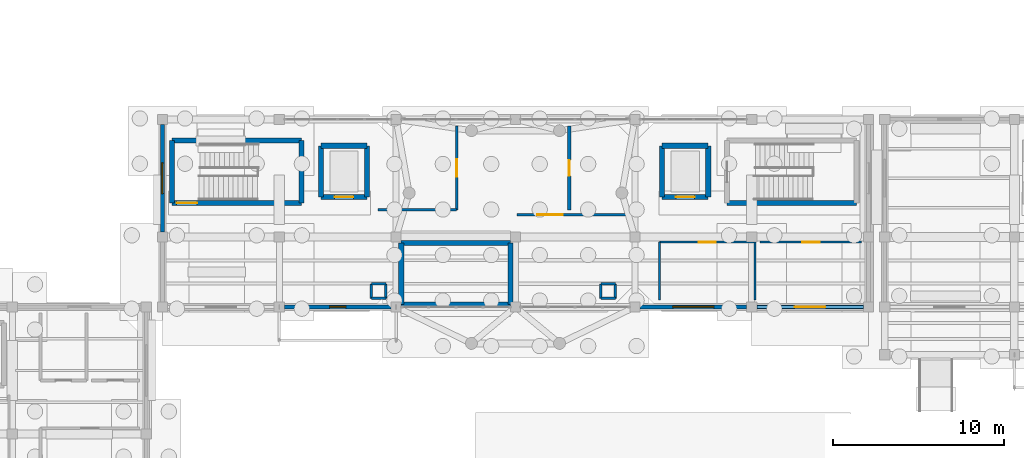
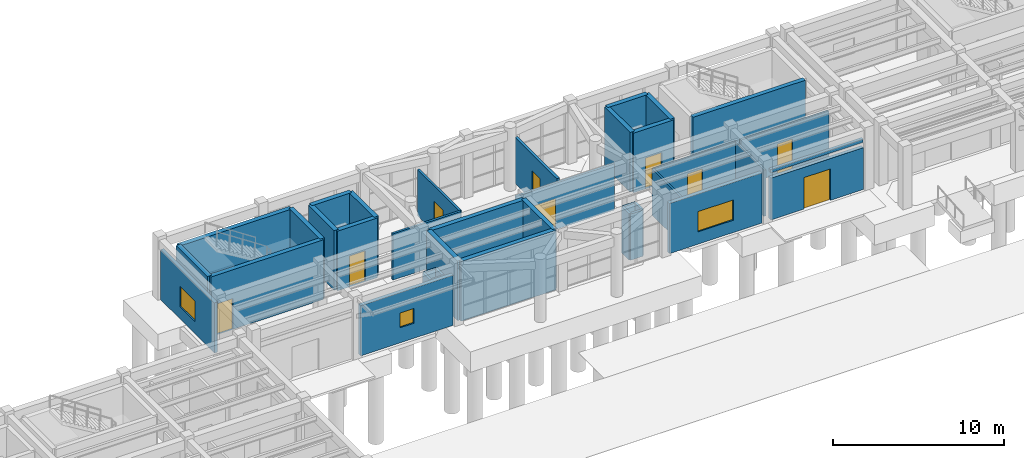
# One storey, part 29 of 41: 38 walls, 9 doors, 3 windows, 12 openings.
"""IFC4 building model written with IfcOpenShell, lengths in metres."""

from ifc_helpers import new_model, si_unit, direction, frame, frame_2d, origin, place, context, subcontext, project, spatial, rectangle, extrude, material, layer, layer_set, type_object, element, fill, save


model = new_model("IFC4")

# Units and contexts
model_context = context("Model", 3, precision=1e-05, world=origin(), true_north=direction((0.0, 1.0)))
body_context = subcontext(model_context, "Body", "Model", "MODEL_VIEW")
ifc_project = project(units=[si_unit("LENGTHUNIT", "METRE"), si_unit("AREAUNIT", "SQUARE_METRE"), si_unit("VOLUMEUNIT", "CUBIC_METRE"), si_unit("PLANEANGLEUNIT", "RADIAN"), si_unit("MASSUNIT", "GRAM", prefix="KILO")], contexts=[model_context])

# Site, building, storey
site_placement = place(None, origin())
site = spatial("IfcSite", under=ifc_project, at=site_placement, CompositionType="ELEMENT")
building_placement = place(site_placement, origin())
building = spatial("IfcBuilding", under=site, at=building_placement, Name="Candilejo Ridge Gondola Terminal", CompositionType="ELEMENT")
storey_placement = place(building_placement, origin())
storey = spatial("IfcBuildingStorey", under=building, at=storey_placement, Name="L00", CompositionType="ELEMENT", Elevation=0.0)

# Wall
ifc_material_1 = material(Name="Concrete C20/25 masonry blockwork (f'm 14 MPa)", Category="masonry")
ifc_layer_1 = layer(ifc_material_1, 0.195068359375)
ifc_layer_set_1 = layer_set([ifc_layer_1], Name="ARC-EXT-WALL-195")
wall_type_1 = type_object("IfcWallType", Name="ARC-EXT-WALL-195", PredefinedType="STANDARD", material=ifc_layer_set_1)
wall_1_placement = place(storey_placement, frame((85.75, 25.699951171875, 3.35009765625), z_axis=(0.0, 0.0, 1.0), x_axis=(-1.0, 0.0, 0.0)))
element("IfcWall", 1, at=wall_1_placement, inside=storey, type_object=wall_type_1, Name="Upper lintel spandrel wall V2 L00-034", PredefinedType="STANDARD", context=body_context, shape_type="SweptSolid", body=[
    extrude(rectangle(XDim=6.25, YDim=0.195068359375, at=frame_2d((3.125, 0.0))), origin(), (0.0, 0.0, 1.0), 0.22998046875),
])

# Wall, opening, window
ifc_material_2 = material(Name="Concrete C20/25 masonry blockwork (f'm 14 MPa)", Category="masonry")
ifc_layer_2 = layer(ifc_material_2, 0.219970703125)
ifc_layer_set_2 = layer_set([ifc_layer_2], Name="ARC-EXT-WALL-220")
wall_type_2 = type_object("IfcWallType", Name="ARC-EXT-WALL-220", PredefinedType="STANDARD", material=ifc_layer_set_2)
wall_2_placement = place(storey_placement, frame((44.64990234375, 30.10009765625, 0.0), z_axis=(0.0, 0.0, 1.0), x_axis=(0.0, 1.0, 0.0)))
wall_2 = element("IfcWall", 2, at=wall_2_placement, inside=storey, type_object=wall_type_2, Name="Exterior facade wall EW-V2-L00-039", PredefinedType="STANDARD", context=body_context, shape_type="SweptSolid", body=[
    extrude(rectangle(XDim=6.2998046875, YDim=0.219970703125, at=frame_2d((3.14990234375, 0.0))), origin(), (0.0, 0.0, 1.0), 3.580078125),
])
opening_1_placement = place(wall_2_placement, frame((2.25, 0.0, 0.8798828125)))
opening_1 = element("IfcOpeningElement", 3, at=opening_1_placement, cuts=wall_2, Name="Opening WN-02", PredefinedType="OPENING", context=body_context, shape_type="SweptSolid", body=[
    extrude(rectangle(XDim=1.800048828125, YDim=1.449951171875, at=frame_2d((0.89990234375, 0.72509765625))), frame((0.0, 0.119873046875, 0.0), z_axis=(0.0, -1.0, 0.0), x_axis=(1.0, 0.0, 0.0)), (0.0, 0.0, 1.0), 0.239990234375),
])
ifc_material_3 = material(Name="Low-E laminated double glazing 6+12A+6+1.52PVB+6 mm", Category="glass")
window_type_1 = type_object("IfcWindowType", Name="ARC-WIN-1800X1650", PartitioningType="SINGLE_PANEL", PredefinedType="WINDOW", material=ifc_material_3)
window_1_placement = place(opening_1_placement, origin())
window_1 = element("IfcWindow", 4, at=window_1_placement, inside=storey, type_object=window_type_1, Name="Window WIN-015", OverallHeight=1.449951171875, OverallWidth=1.800048828125, PartitioningType="SINGLE_PANEL", PredefinedType="WINDOW", context=body_context, shape_type="SweptSolid", body=[
    extrude(rectangle(XDim=1.800048828125, YDim=1.449951171875, at=frame_2d((0.89990234375, 0.72509765625))), frame((0.0, 0.030029296875, 0.0), z_axis=(0.0, -1.0, 0.0), x_axis=(1.0, 0.0, 0.0)), (0.0, 0.0, 1.0), 0.06005859375),
])
fill(opening_1, window_1)

# Wall, opening, door
ifc_material_4 = material(Name="Cream Guayaquil limestone ashlar masonry (f'm 14 MPa)", Category="masonry")
ifc_layer_3 = layer(ifc_material_4, 0.25)
ifc_layer_set_3 = layer_set([ifc_layer_3], Name="ARC-EXT-WALL-250")
wall_type_3 = type_object("IfcWallType", Name="ARC-EXT-WALL-250", PredefinedType="STANDARD", material=ifc_layer_set_3)
wall_3_placement = place(storey_placement, frame((85.75, 25.699951171875, 0.0), z_axis=(0.0, 0.0, 1.0), x_axis=(-1.0, 0.0, 0.0)))
wall_3 = element("IfcWall", 5, at=wall_3_placement, inside=storey, type_object=wall_type_3, Name="Exterior facade wall EW-V2-L00-033", PredefinedType="STANDARD", context=body_context, shape_type="SweptSolid", body=[
    extrude(rectangle(XDim=6.25, YDim=0.25, at=frame_2d((3.125, 0.0))), origin(), (0.0, 0.0, 1.0), 2.985107421875),
])
opening_2_placement = place(wall_3_placement, frame((2.22509765625, 0.0, 0.0)))
opening_2 = element("IfcOpeningElement", 6, at=opening_2_placement, cuts=wall_3, Name="Opening ED-02", PredefinedType="OPENING", context=body_context, shape_type="SweptSolid", body=[
    extrude(rectangle(XDim=1.800048828125, YDim=2.25, at=frame_2d((0.89990234375, 1.125))), frame((0.0, 0.135009765625, 0.0), z_axis=(0.0, -1.0, 0.0), x_axis=(1.0, 0.0, 0.0)), (0.0, 0.0, 1.0), 0.27001953125),
])
ifc_material_5 = material(Name="Anodised aluminium AA 6063-T6", Category="aluminium")
door_type_1 = type_object("IfcDoorType", Name="ARC-DOOR-EXT-DBL-1800", OperationType="NOTDEFINED", PredefinedType="DOOR", material=ifc_material_5)
door_1_placement = place(opening_2_placement, origin())
door_1 = element("IfcDoor", 7, at=door_1_placement, inside=storey, type_object=door_type_1, Name="Exterior door EDR-005", OperationType="DOUBLE_DOOR_SINGLE_SWING", OverallHeight=2.25, OverallWidth=1.800048828125, PredefinedType="DOOR", context=body_context, shape_type="SweptSolid", body=[
    extrude(rectangle(XDim=1.800048828125, YDim=2.25, at=frame_2d((0.89990234375, 1.125))), frame((0.0, 0.02490234375, 0.0), z_axis=(0.0, -1.0, 0.0), x_axis=(1.0, 0.0, 0.0)), (0.0, 0.0, 1.0), 0.050048828125),
])
fill(opening_2, door_1)

# Wall, opening, window
wall_4_placement = place(storey_placement, frame((58.050048828125, 25.699951171875, 0.0), z_axis=(0.0, 0.0, 1.0), x_axis=(-1.0, 0.0, 0.0)))
wall_4 = element("IfcWall", 8, at=wall_4_placement, inside=storey, type_object=wall_type_3, Name="Exterior facade wall EW-V2-L00-035", PredefinedType="STANDARD", context=body_context, shape_type="SweptSolid", body=[
    extrude(rectangle(XDim=6.25, YDim=0.25, at=frame_2d((3.125, 0.0))), origin(), (0.0, 0.0, 1.0), 3.580078125),
])
opening_3_placement = place(wall_4_placement, frame((2.64990234375, 0.0, 1.080078125)))
opening_3 = element("IfcOpeningElement", 9, at=opening_3_placement, cuts=wall_4, Name="Opening WN-05F", PredefinedType="OPENING", context=body_context, shape_type="SweptSolid", body=[
    extrude(rectangle(XDim=0.949951171875, YDim=1.050048828125, at=frame_2d((0.47509765625, 0.52490234375))), frame((0.0, 0.135009765625, 0.0), z_axis=(0.0, -1.0, 0.0), x_axis=(1.0, 0.0, 0.0)), (0.0, 0.0, 1.0), 0.27001953125),
])
ifc_material_6 = material(Name="Low-E laminated double glazing 6+12A+6+1.52PVB+6 mm", Category="glass")
window_type_2 = type_object("IfcWindowType", Name="ARC-WIN-0950X1050", PartitioningType="SINGLE_PANEL", PredefinedType="WINDOW", material=ifc_material_6)
window_2_placement = place(opening_3_placement, origin())
window_2 = element("IfcWindow", 10, at=window_2_placement, inside=storey, type_object=window_type_2, Name="Window WIN-013", OverallHeight=1.050048828125, OverallWidth=0.949951171875, PartitioningType="SINGLE_PANEL", PredefinedType="WINDOW", context=body_context, shape_type="SweptSolid", body=[
    extrude(rectangle(XDim=0.949951171875, YDim=1.050048828125, at=frame_2d((0.47509765625, 0.52490234375))), frame((0.0, 0.030029296875, 0.0), z_axis=(0.0, -1.0, 0.0), x_axis=(1.0, 0.0, 0.0)), (0.0, 0.0, 1.0), 0.06005859375),
])
fill(opening_3, window_2)

wall_5_placement = place(storey_placement, frame((78.89990234375, 25.699951171875, 0.0), z_axis=(0.0, 0.0, 1.0), x_axis=(-1.0, 0.0, 0.0)))
wall_5 = element("IfcWall", 11, at=wall_5_placement, inside=storey, type_object=wall_type_3, Name="Exterior facade wall EW-V2-L00-036", PredefinedType="STANDARD", context=body_context, shape_type="SweptSolid", body=[
    extrude(rectangle(XDim=6.25, YDim=0.25, at=frame_2d((3.125, 0.0))), origin(), (0.0, 0.0, 1.0), 3.580078125),
])
opening_4_placement = place(wall_5_placement, frame((1.925048828125, 0.0, 0.8798828125)))
opening_4 = element("IfcOpeningElement", 12, at=opening_4_placement, cuts=wall_5, Name="Opening WN-01", PredefinedType="OPENING", context=body_context, shape_type="SweptSolid", body=[
    extrude(rectangle(XDim=2.39990234375, YDim=1.449951171875, at=frame_2d((1.199951171875, 0.72509765625))), frame((0.0, 0.135009765625, 0.0), z_axis=(0.0, -1.0, 0.0), x_axis=(1.0, 0.0, 0.0)), (0.0, 0.0, 1.0), 0.27001953125),
])
ifc_material_7 = material(Name="Low-E laminated double glazing 6+12A+6+1.52PVB+6 mm", Category="glass")
window_type_3 = type_object("IfcWindowType", Name="ARC-WIN-2400X1650", PartitioningType="SINGLE_PANEL", PredefinedType="WINDOW", material=ifc_material_7)
window_3_placement = place(opening_4_placement, origin())
window_3 = element("IfcWindow", 13, at=window_3_placement, inside=storey, type_object=window_type_3, Name="Window WIN-014", OverallHeight=1.449951171875, OverallWidth=2.39990234375, PartitioningType="SINGLE_PANEL", PredefinedType="WINDOW", context=body_context, shape_type="SweptSolid", body=[
    extrude(rectangle(XDim=2.39990234375, YDim=1.449951171875, at=frame_2d((1.199951171875, 0.72509765625))), frame((0.0, 0.030029296875, 0.0), z_axis=(0.0, -1.0, 0.0), x_axis=(1.0, 0.0, 0.0)), (0.0, 0.0, 1.0), 0.06005859375),
])
fill(opening_4, window_3)

# Wall, opening, door
ifc_material_8 = material(Name="Gypsum board Type X acoustic partition (2x15.9 mm)", Category="gypsum")
ifc_layer_4 = layer(ifc_material_8, 0.125)
ifc_layer_set_4 = layer_set([ifc_layer_4], Name="ARC-PART-GYP125")
wall_type_4 = type_object("IfcWallType", Name="ARC-PART-GYP125", PredefinedType="PARTITIONING", material=ifc_layer_set_4)
wall_6_placement = place(storey_placement, frame((73.800048828125, 29.5, 0.0), z_axis=(0.0, 0.0, 1.0), x_axis=(1.0, 0.0, 0.0)))
wall_6 = element("IfcWall", 14, at=wall_6_placement, inside=storey, type_object=wall_type_4, Name="Interior partition PT-V2-L00-0014", PredefinedType="PARTITIONING", context=body_context, shape_type="SweptSolid", body=[
    extrude(rectangle(XDim=5.599853515625, YDim=0.125, at=frame_2d((2.7998046875, 0.0))), origin(), (0.0, 0.0, 1.0), 3.300048828125),
])
opening_5_placement = place(wall_6_placement, frame((2.300048828125, 0.0, 0.0)))
opening_5 = element("IfcOpeningElement", 15, at=opening_5_placement, cuts=wall_6, Name="Opening ID-01", PredefinedType="OPENING", context=body_context, shape_type="SweptSolid", body=[
    extrude(rectangle(XDim=1.0, YDim=2.14990234375, at=frame_2d((0.5, 1.074951171875))), frame((0.0, 0.072509765625, 0.0), z_axis=(0.0, -1.0, 0.0), x_axis=(1.0, 0.0, 0.0)), (0.0, 0.0, 1.0), 0.14501953125),
])
ifc_material_9 = material(Name="Solid-core fire-rated hardwood door leaf", Category="wood")
door_type_2 = type_object("IfcDoorType", Name="ARC-DOOR-INT-1000", OperationType="NOTDEFINED", PredefinedType="DOOR", material=ifc_material_9)
door_2_placement = place(opening_5_placement, origin())
door_2 = element("IfcDoor", 16, at=door_2_placement, inside=storey, type_object=door_type_2, Name="Interior door IDR-0008 (012)", OperationType="SINGLE_SWING_RIGHT", OverallHeight=2.14990234375, OverallWidth=1.0, PredefinedType="DOOR", context=body_context, shape_type="SweptSolid", body=[
    extrude(rectangle(XDim=1.0, YDim=2.14990234375, at=frame_2d((0.5, 1.074951171875))), frame((0.0, 0.02490234375, 0.0), z_axis=(0.0, -1.0, 0.0), x_axis=(1.0, 0.0, 0.0)), (0.0, 0.0, 1.0), 0.050048828125),
])
fill(opening_5, door_2)

# Walls
for number, where, z_axis, x_axis, name in (
    (17, (73.800048828125, 26.10009765625, 0.0), (0.0, 0.0, 1.0), (0.0, 1.0, 0.0), "Interior partition PT-V2-L00-0015"),
    (18, (79.39990234375, 26.10009765625, 0.0), (0.0, 0.0, 1.0), (0.0, 1.0, 0.0), "Interior partition PT-V2-L00-0016"),
):
    element("IfcWall", number, at=place(storey_placement, frame(where, z_axis=z_axis, x_axis=x_axis)), inside=storey, type_object=wall_type_4, Name=name, PredefinedType="PARTITIONING", context=body_context, shape_type="SweptSolid", body=[
        extrude(rectangle(XDim=3.39990234375, YDim=0.125, at=frame_2d((1.699951171875, 0.0))), origin(), (0.0, 0.0, 1.0), 3.300048828125),
    ])

# Wall, opening, door
wall_7_placement = place(storey_placement, frame((79.699951171875, 29.5, 0.0), z_axis=(0.0, 0.0, 1.0), x_axis=(1.0, 0.0, 0.0)))
wall_7 = element("IfcWall", 19, at=wall_7_placement, inside=storey, type_object=wall_type_4, Name="Interior partition PT-V2-L00-0017", PredefinedType="PARTITIONING", context=body_context, shape_type="SweptSolid", body=[
    extrude(rectangle(XDim=5.949951171875, YDim=0.125, at=frame_2d((2.97509765625, 0.0))), origin(), (0.0, 0.0, 1.0), 3.300048828125),
])
opening_6_placement = place(wall_7_placement, frame((2.47509765625, 0.0, 0.0)))
opening_6 = element("IfcOpeningElement", 20, at=opening_6_placement, cuts=wall_7, Name="Opening ID-01", PredefinedType="OPENING", context=body_context, shape_type="SweptSolid", body=[
    extrude(rectangle(XDim=1.0, YDim=2.14990234375, at=frame_2d((0.5, 1.074951171875))), frame((0.0, 0.072509765625, 0.0), z_axis=(0.0, -1.0, 0.0), x_axis=(1.0, 0.0, 0.0)), (0.0, 0.0, 1.0), 0.14501953125),
])
door_3_placement = place(opening_6_placement, origin())
door_3 = element("IfcDoor", 21, at=door_3_placement, inside=storey, type_object=door_type_2, Name="Interior door IDR-0009 (013)", OperationType="SINGLE_SWING_LEFT", OverallHeight=2.14990234375, OverallWidth=1.0, PredefinedType="DOOR", context=body_context, shape_type="SweptSolid", body=[
    extrude(rectangle(XDim=1.0, YDim=2.14990234375, at=frame_2d((0.5, 1.074951171875))), frame((0.0, 0.02490234375, 0.0), z_axis=(0.0, -1.0, 0.0), x_axis=(1.0, 0.0, 0.0)), (0.0, 0.0, 1.0), 0.050048828125),
])
fill(opening_6, door_3)

ifc_material_10 = material(Name="Gypsum board Type X acoustic partition (2x15.9 mm)", Category="gypsum")
ifc_layer_5 = layer(ifc_material_10, 0.135009765625)
ifc_layer_set_5 = layer_set([ifc_layer_5], Name="ARC-PART-GYP135")
wall_type_5 = type_object("IfcWallType", Name="ARC-PART-GYP135", PredefinedType="PARTITIONING", material=ifc_layer_set_5)
wall_8_placement = place(storey_placement, frame((65.449951171875, 31.10009765625, 0.0), z_axis=(0.0, 0.0, 1.0), x_axis=(1.0, 0.0, 0.0)))
wall_8 = element("IfcWall", 22, at=wall_8_placement, inside=storey, type_object=wall_type_5, Name="Interior partition PT-V2-L00-0013", PredefinedType="PARTITIONING", context=body_context, shape_type="SweptSolid", body=[
    extrude(rectangle(XDim=6.650146484375, YDim=0.135009765625, at=frame_2d((3.3251953125, 0.0))), origin(), (0.0, 0.0, 1.0), 3.300048828125),
])
opening_7_placement = place(wall_8_placement, frame((1.175048828125, 0.0, 0.0)))
opening_7 = element("IfcOpeningElement", 23, at=opening_7_placement, cuts=wall_8, Name="Opening ID-03B", PredefinedType="OPENING", context=body_context, shape_type="SweptSolid", body=[
    extrude(rectangle(XDim=1.5, YDim=2.199951171875, at=frame_2d((0.75, 1.10009765625))), frame((0.0, 0.077392578125, 0.0), z_axis=(0.0, -1.0, 0.0), x_axis=(1.0, 0.0, 0.0)), (0.0, 0.0, 1.0), 0.155029296875),
])
ifc_material_11 = material(Name="Solid-core fire-rated hardwood door leaf", Category="wood")
door_type_3 = type_object("IfcDoorType", Name="ARC-DOOR-DBL-1500", OperationType="NOTDEFINED", PredefinedType="DOOR", material=ifc_material_11)
door_4_placement = place(opening_7_placement, origin())
door_4 = element("IfcDoor", 24, at=door_4_placement, inside=storey, type_object=door_type_3, Name="Interior door IDR-0007 (011)", OperationType="DOUBLE_DOOR_SINGLE_SWING", OverallHeight=2.199951171875, OverallWidth=1.5, PredefinedType="DOOR", context=body_context, shape_type="SweptSolid", body=[
    extrude(rectangle(XDim=1.5, YDim=2.199951171875, at=frame_2d((0.75, 1.10009765625))), frame((0.0, 0.02490234375, 0.0), z_axis=(0.0, -1.0, 0.0), x_axis=(1.0, 0.0, 0.0)), (0.0, 0.0, 1.0), 0.050048828125),
])
fill(opening_7, door_4)

# Walls
ifc_material_12 = material(Name="Gypsum board Type X acoustic partition (2x15.9 mm)", Category="gypsum")
ifc_layer_6 = layer(ifc_material_12, 0.14990234375)
ifc_layer_set_6 = layer_set([ifc_layer_6], Name="ARC-PART-GYP150-EI60")
wall_type_6 = type_object("IfcWallType", Name="ARC-PART-GYP150-EI60", PredefinedType="PARTITIONING", material=ifc_layer_set_6)
for number, where, z_axis, x_axis, name in (
    (25, (56.89990234375, 26.199951171875, 0.0), (0.0, 0.0, 1.0), (1.0, 0.0, 0.0), "Riser shaft wall RIS-V2-L01W L00-S"),
    (26, (56.89990234375, 27.050048828125, 0.0), (0.0, 0.0, 1.0), (1.0, 0.0, 0.0), "Riser shaft wall RIS-V2-L01W L00-N"),
    (27, (56.89990234375, 26.199951171875, 0.0), (0.0, 0.0, 1.0), (0.0, 1.0, 0.0), "Riser shaft wall RIS-V2-L01W L00-W"),
    (28, (57.75, 26.199951171875, 0.0), (0.0, 0.0, 1.0), (0.0, 1.0, 0.0), "Riser shaft wall RIS-V2-L01W L00-E"),
):
    element("IfcWall", number, at=place(storey_placement, frame(where, z_axis=z_axis, x_axis=x_axis)), inside=storey, type_object=wall_type_6, Name=name, PredefinedType="PARTITIONING", context=body_context, shape_type="SweptSolid", body=[
        extrude(rectangle(XDim=0.85009765625, YDim=0.14990234375, at=frame_2d((0.425048828125, 0.0))), origin(), (0.0, 0.0, 1.0), 3.300048828125),
    ])
for number, where, z_axis, x_axis, name in (
    (29, (70.35009765625, 26.199951171875, 0.0), (0.0, 0.0, 1.0), (1.0, 0.0, 0.0), "Riser shaft wall RIS-V2-L01E L00-S"),
    (30, (70.35009765625, 27.050048828125, 0.0), (0.0, 0.0, 1.0), (1.0, 0.0, 0.0), "Riser shaft wall RIS-V2-L01E L00-N"),
):
    element("IfcWall", number, at=place(storey_placement, frame(where, z_axis=z_axis, x_axis=x_axis)), inside=storey, type_object=wall_type_6, Name=name, PredefinedType="PARTITIONING", context=body_context, shape_type="SweptSolid", body=[
        extrude(rectangle(XDim=0.849853515625, YDim=0.14990234375, at=frame_2d((0.4248046875, 0.0))), origin(), (0.0, 0.0, 1.0), 3.300048828125),
    ])
for number, where, z_axis, x_axis, name in (
    (31, (70.35009765625, 26.199951171875, 0.0), (0.0, 0.0, 1.0), (0.0, 1.0, 0.0), "Riser shaft wall RIS-V2-L01E L00-W"),
    (32, (71.199951171875, 26.199951171875, 0.0), (0.0, 0.0, 1.0), (0.0, 1.0, 0.0), "Riser shaft wall RIS-V2-L01E L00-E"),
):
    element("IfcWall", number, at=place(storey_placement, frame(where, z_axis=z_axis, x_axis=x_axis)), inside=storey, type_object=wall_type_6, Name=name, PredefinedType="PARTITIONING", context=body_context, shape_type="SweptSolid", body=[
        extrude(rectangle(XDim=0.85009765625, YDim=0.14990234375, at=frame_2d((0.425048828125, 0.0))), origin(), (0.0, 0.0, 1.0), 3.300048828125),
    ])
wall_9_placement = place(storey_placement, frame((57.300048828125, 31.39990234375, 0.0), z_axis=(0.0, 0.0, 1.0), x_axis=(1.0, 0.0, 0.0)))
element("IfcWall", 33, at=wall_9_placement, inside=storey, type_object=wall_type_6, Name="Interior partition PT-V2-L00-0011", PredefinedType="PARTITIONING", context=body_context, shape_type="SweptSolid", body=[
    extrude(rectangle(XDim=4.599853515625, YDim=0.14990234375, at=frame_2d((2.2998046875, 0.0))), origin(), (0.0, 0.0, 1.0), 3.300048828125),
])

# Wall, opening, door
wall_10_placement = place(storey_placement, frame((61.89990234375, 31.39990234375, 0.0), z_axis=(0.0, 0.0, 1.0), x_axis=(0.0, 1.0, 0.0)))
wall_10 = element("IfcWall", 34, at=wall_10_placement, inside=storey, type_object=wall_type_6, Name="Interior partition PT-V2-L00-0012", PredefinedType="PARTITIONING", context=body_context, shape_type="SweptSolid", body=[
    extrude(rectangle(XDim=4.900146484375, YDim=0.14990234375, at=frame_2d((2.4501953125, 0.0))), origin(), (0.0, 0.0, 1.0), 3.300048828125),
])
opening_8_placement = place(wall_10_placement, frame((1.925048828125, 0.0, 0.0)))
opening_8 = element("IfcOpeningElement", 35, at=opening_8_placement, cuts=wall_10, Name="Opening ID-01A", PredefinedType="OPENING", context=body_context, shape_type="SweptSolid", body=[
    extrude(rectangle(XDim=1.050048828125, YDim=2.199951171875, at=frame_2d((0.52490234375, 1.10009765625))), frame((0.0, 0.0849609375, 0.0), z_axis=(0.0, -1.0, 0.0), x_axis=(1.0, 0.0, 0.0)), (0.0, 0.0, 1.0), 0.169921875),
])
ifc_material_13 = material(Name="Solid-core fire-rated hardwood door leaf", Category="wood")
door_type_4 = type_object("IfcDoorType", Name="ARC-DOOR-INT-1050", OperationType="NOTDEFINED", PredefinedType="DOOR", material=ifc_material_13)
door_5_placement = place(opening_8_placement, origin())
door_5 = element("IfcDoor", 36, at=door_5_placement, inside=storey, type_object=door_type_4, Name="Interior door IDR-0006 (010)", OperationType="SINGLE_SWING_RIGHT", OverallHeight=2.199951171875, OverallWidth=1.050048828125, PredefinedType="DOOR", context=body_context, shape_type="SweptSolid", body=[
    extrude(rectangle(XDim=1.050048828125, YDim=2.199951171875, at=frame_2d((0.52490234375, 1.10009765625))), frame((0.0, 0.02490234375, 0.0), z_axis=(0.0, -1.0, 0.0), x_axis=(1.0, 0.0, 0.0)), (0.0, 0.0, 1.0), 0.050048828125),
])
fill(opening_8, door_5)

ifc_material_14 = material(Name="Concrete C20/25 masonry blockwork (f'm 14 MPa)", Category="masonry")
ifc_layer_7 = layer(ifc_material_14, 0.179931640625)
ifc_layer_set_7 = layer_set([ifc_layer_7], Name="ARC-WALL-PLUMBING-180")
wall_type_7 = type_object("IfcWallType", Name="ARC-WALL-PLUMBING-180", PredefinedType="PLUMBINGWALL", material=ifc_layer_set_7)
wall_11_placement = place(storey_placement, frame((68.5, 31.39990234375, 0.0), z_axis=(0.0, 0.0, 1.0), x_axis=(0.0, 1.0, 0.0)))
wall_11 = element("IfcWall", 37, at=wall_11_placement, inside=storey, type_object=wall_type_7, Name="Interior partition PT-V2-L00-0018", PredefinedType="PLUMBINGWALL", context=body_context, shape_type="SweptSolid", body=[
    extrude(rectangle(XDim=4.900146484375, YDim=0.179931640625, at=frame_2d((2.4501953125, 0.0))), origin(), (0.0, 0.0, 1.0), 3.300048828125),
])
opening_9_placement = place(wall_11_placement, frame((1.989990234375, 0.0, 0.0)))
opening_9 = element("IfcOpeningElement", 38, at=opening_9_placement, cuts=wall_11, Name="Opening ID-04A", PredefinedType="OPENING", context=body_context, shape_type="SweptSolid", body=[
    extrude(rectangle(XDim=0.919921875, YDim=2.10009765625, at=frame_2d((0.4599609375, 1.050048828125))), frame((0.0, 0.099853515625, 0.0), z_axis=(0.0, -1.0, 0.0), x_axis=(1.0, 0.0, 0.0)), (0.0, 0.0, 1.0), 0.199951171875),
])
ifc_material_15 = material(Name="Solid-core fire-rated hardwood door leaf", Category="wood")
door_type_5 = type_object("IfcDoorType", Name="ARC-DOOR-WC-0920", OperationType="NOTDEFINED", PredefinedType="DOOR", material=ifc_material_15)
door_6_placement = place(opening_9_placement, origin())
door_6 = element("IfcDoor", 39, at=door_6_placement, inside=storey, type_object=door_type_5, Name="Interior door IDR-0010 (014)", OperationType="SINGLE_SWING_RIGHT", OverallHeight=2.10009765625, OverallWidth=0.919921875, PredefinedType="DOOR", context=body_context, shape_type="SweptSolid", body=[
    extrude(rectangle(XDim=0.919921875, YDim=2.10009765625, at=frame_2d((0.4599609375, 1.050048828125))), frame((0.0, 0.02490234375, 0.0), z_axis=(0.0, -1.0, 0.0), x_axis=(1.0, 0.0, 0.0)), (0.0, 0.0, 1.0), 0.050048828125),
])
fill(opening_9, door_6)

ifc_material_16 = material(Name="Concrete f'c 35 MPa (C35/45)", Category="concrete")
ifc_layer_8 = layer(ifc_material_16, 0.300048828125)
ifc_layer_set_8 = layer_set([ifc_layer_8], Name="STR-CORE-WALL-300")
wall_type_8 = type_object("IfcWallType", Name="STR-CORE-WALL-300", PredefinedType="SHEAR", material=ifc_layer_set_8)
wall_12_placement = place(storey_placement, frame((52.800048828125, 31.800048828125, 0.0), z_axis=(0.0, 0.0, 1.0), x_axis=(-1.0, 0.0, 0.0)))
wall_12 = element("IfcWall", 40, at=wall_12_placement, inside=storey, type_object=wall_type_8, Name="Core stair shear wall SW-C-V2A-L00-ST-S", PredefinedType="SHEAR", context=body_context, shape_type="SweptSolid", body=[
    extrude(rectangle(XDim=7.60009765625, YDim=0.300048828125, at=frame_2d((3.800048828125, 0.0))), origin(), (0.0, 0.0, 1.0), 4.260009765625),
])
opening_10_placement = place(wall_12_placement, frame((6.1201171875, 0.0, 0.0)))
opening_10 = element("IfcOpeningElement", 41, at=opening_10_placement, cuts=wall_12, Name="Opening FD-01", PredefinedType="OPENING", context=body_context, shape_type="SweptSolid", body=[
    extrude(rectangle(XDim=1.199951171875, YDim=2.199951171875, at=frame_2d((0.60009765625, 1.10009765625))), frame((0.0, 0.159912109375, 0.0), z_axis=(0.0, -1.0, 0.0), x_axis=(1.0, 0.0, 0.0)), (0.0, 0.0, 1.0), 0.320068359375),
])
ifc_material_17 = material(Name="Steel ASTM A653 Grade 33 hollow-metal door", Category="steel")
door_type_6 = type_object("IfcDoorType", Name="ARC-DOOR-FD90-1200", OperationType="NOTDEFINED", PredefinedType="DOOR", material=ifc_material_17)
door_7_placement = place(opening_10_placement, origin())
door_7 = element("IfcDoor", 42, at=door_7_placement, inside=storey, type_object=door_type_6, Name="Fire stair door SDR-007", OperationType="SINGLE_SWING_LEFT", OverallHeight=2.199951171875, OverallWidth=1.199951171875, PredefinedType="DOOR", context=body_context, shape_type="SweptSolid", body=[
    extrude(rectangle(XDim=1.199951171875, YDim=2.199951171875, at=frame_2d((0.60009765625, 1.10009765625))), frame((0.0, 0.02490234375, 0.0), z_axis=(0.0, -1.0, 0.0), x_axis=(1.0, 0.0, 0.0)), (0.0, 0.0, 1.0), 0.050048828125),
])
fill(opening_10, door_7)

# Walls
wall_13_placement = place(storey_placement, frame((45.199951171875, 35.449951171875, 0.0), z_axis=(0.0, 0.0, 1.0), x_axis=(1.0, 0.0, 0.0)))
element("IfcWall", 43, at=wall_13_placement, inside=storey, type_object=wall_type_8, Name="Core stair shear wall SW-C-V2A-L00-ST-N", PredefinedType="SHEAR", context=body_context, shape_type="SweptSolid", body=[
    extrude(rectangle(XDim=7.60009765625, YDim=0.300048828125, at=frame_2d((3.800048828125, 0.0))), origin(), (0.0, 0.0, 1.0), 4.260009765625),
])
for number, where, z_axis, x_axis, name in (
    (44, (45.199951171875, 31.800048828125, 0.0), (0.0, 0.0, 1.0), (0.0, 1.0, 0.0), "Core stair shear wall SW-C-V2A-L00-ST-W"),
    (45, (52.800048828125, 35.449951171875, 0.0), (0.0, 0.0, 1.0), (0.0, -1.0, 0.0), "Core stair shear wall SW-C-V2A-L00-ST-E"),
):
    element("IfcWall", number, at=place(storey_placement, frame(where, z_axis=z_axis, x_axis=x_axis)), inside=storey, type_object=wall_type_8, Name=name, PredefinedType="SHEAR", context=body_context, shape_type="SweptSolid", body=[
        extrude(rectangle(XDim=3.64990234375, YDim=0.300048828125, at=frame_2d((1.824951171875, 0.0))), origin(), (0.0, 0.0, 1.0), 4.260009765625),
    ])

# Wall, opening, door
wall_14_placement = place(storey_placement, frame((53.949951171875, 32.14990234375, 0.0), z_axis=(0.0, 0.0, 1.0), x_axis=(1.0, 0.0, 0.0)))
wall_14 = element("IfcWall", 46, at=wall_14_placement, inside=storey, type_object=wall_type_8, Name="Lift shaft shear wall SW-C-V2A-L00-LF-S", PredefinedType="SHEAR", context=body_context, shape_type="SweptSolid", body=[
    extrude(rectangle(XDim=2.699951171875, YDim=0.300048828125, at=frame_2d((1.35009765625, 0.0))), origin(), (0.0, 0.0, 1.0), 4.260009765625),
])
opening_11_placement = place(wall_14_placement, frame((0.800048828125, 0.0, 0.0)))
opening_11 = element("IfcOpeningElement", 47, at=opening_11_placement, cuts=wall_14, Name="Opening LD-01", PredefinedType="OPENING", context=body_context, shape_type="SweptSolid", body=[
    extrude(rectangle(XDim=1.10009765625, YDim=2.199951171875, at=frame_2d((0.550048828125, 1.10009765625))), frame((0.0, 0.159912109375, 0.0), z_axis=(0.0, -1.0, 0.0), x_axis=(1.0, 0.0, 0.0)), (0.0, 0.0, 1.0), 0.320068359375),
])
ifc_material_18 = material(Name="Brushed stainless steel AISI 316", Category="steel")
door_type_7 = type_object("IfcDoorType", Name="ARC-LIFT-DOOR-1100", OperationType="NOTDEFINED", PredefinedType="DOOR", material=ifc_material_18)
door_8_placement = place(opening_11_placement, origin())
door_8 = element("IfcDoor", 48, at=door_8_placement, inside=storey, type_object=door_type_7, Name="Elevator landing door LDR-007", OperationType="SLIDING_TO_LEFT", OverallHeight=2.199951171875, OverallWidth=1.10009765625, PredefinedType="DOOR", context=body_context, shape_type="SweptSolid", body=[
    extrude(rectangle(XDim=1.10009765625, YDim=2.199951171875, at=frame_2d((0.550048828125, 1.10009765625))), frame((0.0, 0.02490234375, 0.0), z_axis=(0.0, -1.0, 0.0), x_axis=(1.0, 0.0, 0.0)), (0.0, 0.0, 1.0), 0.050048828125),
])
fill(opening_11, door_8)

# Walls
wall_15_placement = place(storey_placement, frame((53.949951171875, 35.14990234375, 0.0), z_axis=(0.0, 0.0, 1.0), x_axis=(1.0, 0.0, 0.0)))
element("IfcWall", 49, at=wall_15_placement, inside=storey, type_object=wall_type_8, Name="Lift shaft shear wall SW-C-V2A-L00-LF-N", PredefinedType="SHEAR", context=body_context, shape_type="SweptSolid", body=[
    extrude(rectangle(XDim=2.699951171875, YDim=0.300048828125, at=frame_2d((1.35009765625, 0.0))), origin(), (0.0, 0.0, 1.0), 4.260009765625),
])
for number, where, z_axis, x_axis, name in (
    (50, (53.949951171875, 32.14990234375, 0.0), (0.0, 0.0, 1.0), (0.0, 1.0, 0.0), "Lift shaft shear wall SW-C-V2A-L00-LF-W"),
    (51, (56.64990234375, 32.14990234375, 0.0), (0.0, 0.0, 1.0), (0.0, 1.0, 0.0), "Lift shaft shear wall SW-C-V2A-L00-LF-E"),
):
    element("IfcWall", number, at=place(storey_placement, frame(where, z_axis=z_axis, x_axis=x_axis)), inside=storey, type_object=wall_type_8, Name=name, PredefinedType="SHEAR", context=body_context, shape_type="SweptSolid", body=[
        extrude(rectangle(XDim=3.0, YDim=0.300048828125, at=frame_2d((1.5, 0.0))), origin(), (0.0, 0.0, 1.0), 4.260009765625),
    ])
wall_16_placement = place(storey_placement, frame((85.35009765625, 31.800048828125, 0.0), z_axis=(0.0, 0.0, 1.0), x_axis=(-1.0, 0.0, 0.0)))
element("IfcWall", 52, at=wall_16_placement, inside=storey, type_object=wall_type_8, Name="Core stair shear wall SW-C-V2B-L00-ST-S", PredefinedType="SHEAR", context=body_context, shape_type="SweptSolid", body=[
    extrude(rectangle(XDim=7.60009765625, YDim=0.300048828125, at=frame_2d((3.800048828125, 0.0))), origin(), (0.0, 0.0, 1.0), 4.260009765625),
])

# Wall, opening, door
wall_17_placement = place(storey_placement, frame((73.949951171875, 32.14990234375, 0.0), z_axis=(0.0, 0.0, 1.0), x_axis=(1.0, 0.0, 0.0)))
wall_17 = element("IfcWall", 53, at=wall_17_placement, inside=storey, type_object=wall_type_8, Name="Lift shaft shear wall SW-C-V2B-L00-LF-S", PredefinedType="SHEAR", context=body_context, shape_type="SweptSolid", body=[
    extrude(rectangle(XDim=2.699951171875, YDim=0.300048828125, at=frame_2d((1.35009765625, 0.0))), origin(), (0.0, 0.0, 1.0), 4.260009765625),
])
opening_12_placement = place(wall_17_placement, frame((0.800048828125, 0.0, 0.0)))
opening_12 = element("IfcOpeningElement", 54, at=opening_12_placement, cuts=wall_17, Name="Opening LD-01", PredefinedType="OPENING", context=body_context, shape_type="SweptSolid", body=[
    extrude(rectangle(XDim=1.10009765625, YDim=2.199951171875, at=frame_2d((0.550048828125, 1.10009765625))), frame((0.0, 0.159912109375, 0.0), z_axis=(0.0, -1.0, 0.0), x_axis=(1.0, 0.0, 0.0)), (0.0, 0.0, 1.0), 0.320068359375),
])
door_9_placement = place(opening_12_placement, origin())
door_9 = element("IfcDoor", 55, at=door_9_placement, inside=storey, type_object=door_type_7, Name="Elevator landing door LDR-011", OperationType="SLIDING_TO_LEFT", OverallHeight=2.199951171875, OverallWidth=1.10009765625, PredefinedType="DOOR", context=body_context, shape_type="SweptSolid", body=[
    extrude(rectangle(XDim=1.10009765625, YDim=2.199951171875, at=frame_2d((0.550048828125, 1.10009765625))), frame((0.0, 0.02490234375, 0.0), z_axis=(0.0, -1.0, 0.0), x_axis=(1.0, 0.0, 0.0)), (0.0, 0.0, 1.0), 0.050048828125),
])
fill(opening_12, door_9)

# Walls
wall_18_placement = place(storey_placement, frame((73.949951171875, 35.14990234375, 0.0), z_axis=(0.0, 0.0, 1.0), x_axis=(1.0, 0.0, 0.0)))
element("IfcWall", 56, at=wall_18_placement, inside=storey, type_object=wall_type_8, Name="Lift shaft shear wall SW-C-V2B-L00-LF-N", PredefinedType="SHEAR", context=body_context, shape_type="SweptSolid", body=[
    extrude(rectangle(XDim=2.699951171875, YDim=0.300048828125, at=frame_2d((1.35009765625, 0.0))), origin(), (0.0, 0.0, 1.0), 4.260009765625),
])
for number, where, z_axis, x_axis, name in (
    (57, (73.949951171875, 32.14990234375, 0.0), (0.0, 0.0, 1.0), (0.0, 1.0, 0.0), "Lift shaft shear wall SW-C-V2B-L00-LF-W"),
    (58, (76.64990234375, 32.14990234375, 0.0), (0.0, 0.0, 1.0), (0.0, 1.0, 0.0), "Lift shaft shear wall SW-C-V2B-L00-LF-E"),
):
    element("IfcWall", number, at=place(storey_placement, frame(where, z_axis=z_axis, x_axis=x_axis)), inside=storey, type_object=wall_type_8, Name=name, PredefinedType="SHEAR", context=body_context, shape_type="SweptSolid", body=[
        extrude(rectangle(XDim=3.0, YDim=0.300048828125, at=frame_2d((1.5, 0.0))), origin(), (0.0, 0.0, 1.0), 4.260009765625),
    ])
wall_19_placement = place(storey_placement, frame((58.64990234375, 25.85009765625, 0.0), z_axis=(0.0, 0.0, 1.0), x_axis=(1.0, 0.0, 0.0)))
element("IfcWall", 59, at=wall_19_placement, inside=storey, type_object=wall_type_8, Name="Public stair enclosure wall ST-P02 L00-S", PredefinedType="SHEAR", context=body_context, shape_type="SweptSolid", body=[
    extrude(rectangle(XDim=6.400146484375, YDim=0.300048828125, at=frame_2d((3.2001953125, 0.0))), origin(), (0.0, 0.0, 1.0), 4.260009765625),
])
wall_20_placement = place(storey_placement, frame((65.050048828125, 25.85009765625, 0.0), z_axis=(0.0, 0.0, 1.0), x_axis=(0.0, 1.0, 0.0)))
element("IfcWall", 60, at=wall_20_placement, inside=storey, type_object=wall_type_8, Name="Public stair enclosure wall ST-P02 L00-E", PredefinedType="SHEAR", context=body_context, shape_type="SweptSolid", body=[
    extrude(rectangle(XDim=3.599853515625, YDim=0.300048828125, at=frame_2d((1.7998046875, 0.0))), origin(), (0.0, 0.0, 1.0), 4.260009765625),
])
wall_21_placement = place(storey_placement, frame((58.64990234375, 29.449951171875, 0.0), z_axis=(0.0, 0.0, 1.0), x_axis=(1.0, 0.0, 0.0)))
element("IfcWall", 61, at=wall_21_placement, inside=storey, type_object=wall_type_8, Name="Public stair enclosure wall ST-P02 L00-N", PredefinedType="SHEAR", context=body_context, shape_type="SweptSolid", body=[
    extrude(rectangle(XDim=6.400146484375, YDim=0.300048828125, at=frame_2d((3.2001953125, 0.0))), origin(), (0.0, 0.0, 1.0), 4.260009765625),
])
wall_22_placement = place(storey_placement, frame((58.64990234375, 25.85009765625, 0.0), z_axis=(0.0, 0.0, 1.0), x_axis=(0.0, 1.0, 0.0)))
element("IfcWall", 62, at=wall_22_placement, inside=storey, type_object=wall_type_8, Name="Public stair enclosure wall ST-P02 L00-W", PredefinedType="SHEAR", context=body_context, shape_type="SweptSolid", body=[
    extrude(rectangle(XDim=3.599853515625, YDim=0.300048828125, at=frame_2d((1.7998046875, 0.0))), origin(), (0.0, 0.0, 1.0), 4.260009765625),
])

save(model, "model.ifc")
